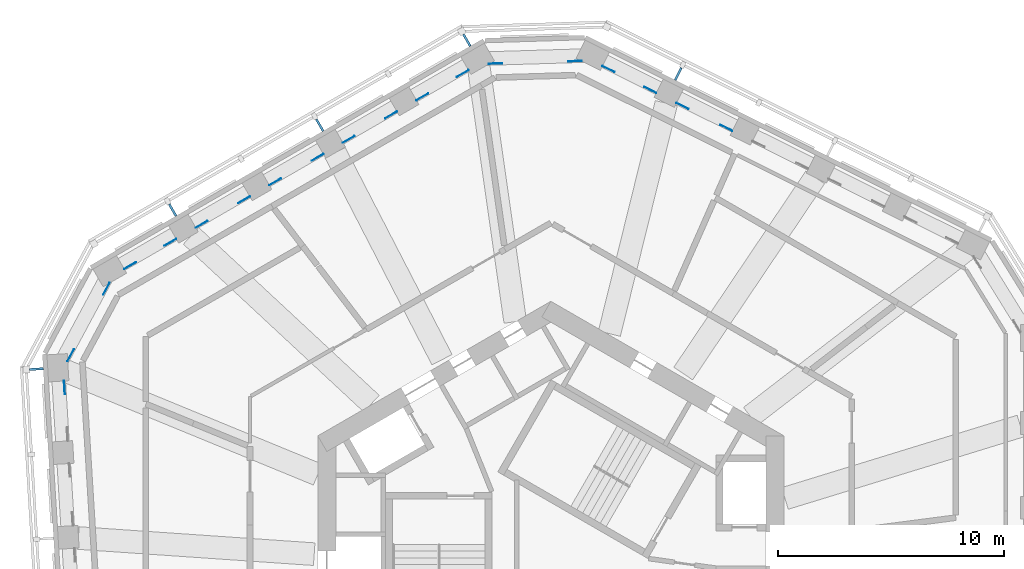
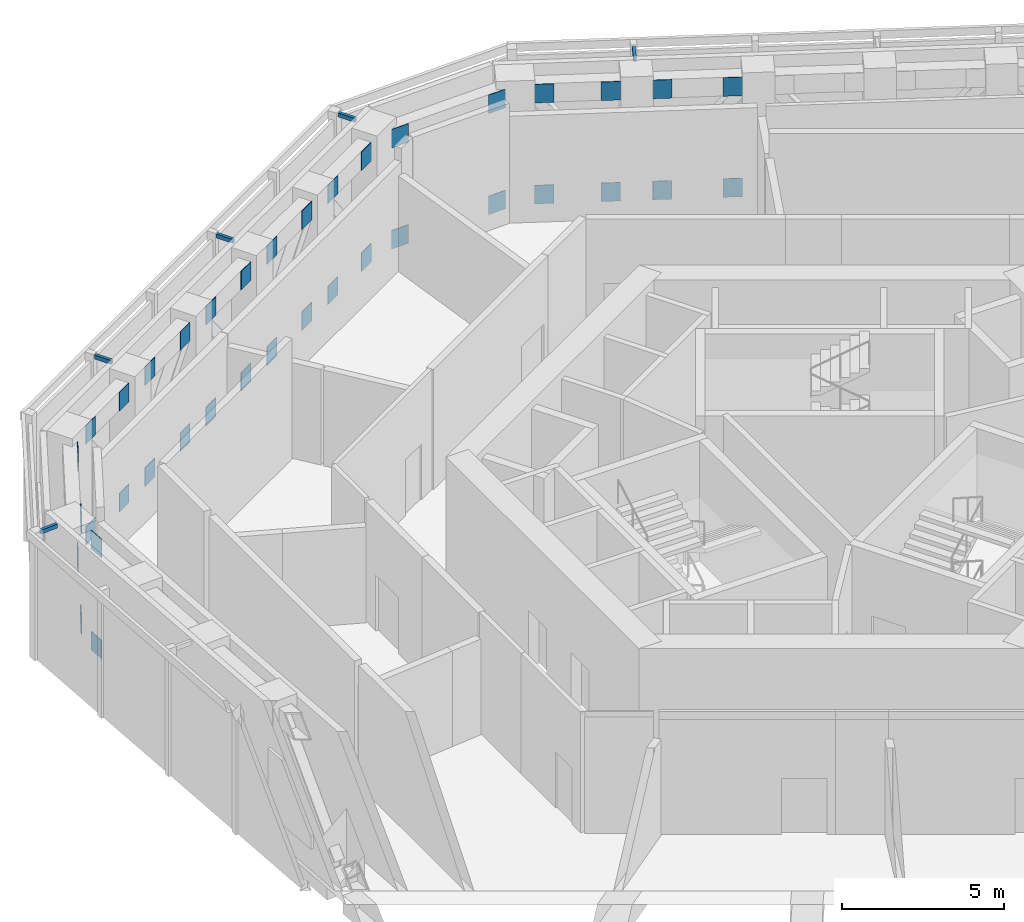
# One storey, part 13 of 15: 43 discrete accessories.
"""IFC4 building model written with IfcOpenShell, lengths in metres."""

import ifcopenshell
import ifcopenshell.guid

model = None  # the IFC model being written
_history = None  # IfcOwnerHistory: only IFC2X3 demands one
_inside = {}  # id of a spatial element -> (the spatial element, [elements in it])
_under = {}  # id of a project, library or spatial element -> (it, [spatial elements below it])
_declared = {}  # id of a project -> (the project, [libraries it declares])
_typed = {}  # id of a type object -> (the type object, [elements of that type])
_made_of = {}  # id of a material, layer set ... -> (it, [elements and type objects made of it])


def new_model(schema):
    """Start an empty IFC model of exactly this schema.

    Asked for "IFC4X3", IfcOpenShell would pick the latest addendum, in which some entities
    have other attributes; the version numbers below select the first issue.
    IFC2X3 requires an IfcOwnerHistory on every rooted entity: one is made here for all.
    """
    global model, _history
    if schema == "IFC4X3":
        model = ifcopenshell.file(schema_version=(4, 3, 0, 0))
    else:
        model = ifcopenshell.file(schema=schema)
    _inside.clear()
    _under.clear()
    _declared.clear()
    _typed.clear()
    _made_of.clear()
    _history = None
    if model.schema == "IFC2X3":
        org = make("IfcOrganization", Name="unknown")
        user = make(
            "IfcPersonAndOrganization",
            ThePerson=make("IfcPerson", FamilyName="unknown"),
            TheOrganization=org,
        )
        app = make(
            "IfcApplication",
            ApplicationDeveloper=org,
            Version="unknown",
            ApplicationFullName="unknown",
            ApplicationIdentifier="unknown",
        )
        _history = make(
            "IfcOwnerHistory",
            OwningUser=user,
            OwningApplication=app,
            ChangeAction="ADDED",
            CreationDate=0,
        )
    return model


def make(cls, **values):
    """One entity of the class cls with the attributes given. An attribute that is None is left unset."""
    return model.create_entity(
        cls, **{name: value for name, value in values.items() if value is not None}
    )


def rooted(cls, **values):
    """An entity with a GlobalId (a new one), such as an element, a storey or a relation."""
    return make(cls, GlobalId=ifcopenshell.guid.new(), OwnerHistory=_history, **values)


def si_unit(unit_type, name, prefix=None):
    """IfcSIUnit, for example si_unit("LENGTHUNIT", "METRE", prefix="MILLI")."""
    return make("IfcSIUnit", UnitType=unit_type, Prefix=prefix, Name=name)


def assignment(units):
    """IfcUnitAssignment: the units of a project."""
    return None if units is None else make("IfcUnitAssignment", Units=units)


def point(xyz):
    """IfcCartesianPoint."""
    return None if xyz is None else make("IfcCartesianPoint", Coordinates=xyz)


def direction(xyz):
    """IfcDirection."""
    return None if xyz is None else make("IfcDirection", DirectionRatios=xyz)


def frame(location, z_axis=None, x_axis=None):
    """IfcAxis2Placement3D, a coordinate frame: its origin and axes. An axis left out is left unset."""
    return make(
        "IfcAxis2Placement3D",
        Location=point(location),
        Axis=direction(z_axis),
        RefDirection=direction(x_axis),
    )


def frame_2d(location, x_axis=None):
    """IfcAxis2Placement2D, a coordinate frame in the plane: its origin and x axis."""
    return make(
        "IfcAxis2Placement2D", Location=point(location), RefDirection=direction(x_axis)
    )


def origin():
    """The frame at (0, 0, 0) with its axes left unset."""
    return frame((0.0, 0.0, 0.0))


def origin_2d():
    """The frame at (0, 0) in the plane with its x axis left unset."""
    return frame_2d((0.0, 0.0))


def place(relative_to, where):
    """IfcLocalPlacement: puts the frame where relative to a parent placement (None: the world)."""
    return make(
        "IfcLocalPlacement", PlacementRelTo=relative_to, RelativePlacement=where
    )


def context(
    kind, dimensions, precision=None, world=None, true_north=None, identifier=None
):
    """IfcGeometricRepresentationContext, for example the 3D "Model" context."""
    return make(
        "IfcGeometricRepresentationContext",
        ContextIdentifier=identifier,
        ContextType=kind,
        CoordinateSpaceDimension=dimensions,
        Precision=precision,
        WorldCoordinateSystem=world,
        TrueNorth=true_north,
    )


def subcontext(parent, identifier, kind, view, scale=None):
    """IfcGeometricRepresentationSubContext, for example "Body" below "Model"."""
    return make(
        "IfcGeometricRepresentationSubContext",
        ContextIdentifier=identifier,
        ContextType=kind,
        ParentContext=parent,
        TargetScale=scale,
        TargetView=view,
    )


def project(units=None, contexts=None):
    """IfcProject with its units and contexts."""
    return rooted(
        "IfcProject",
        Name="project",
        RepresentationContexts=contexts,
        UnitsInContext=assignment(units),
    )


def spatial(cls, under=None, at=None, **own):
    """A site, building, storey or space (cls), placed at a placement, below another one or the project."""
    s = rooted(cls, ObjectPlacement=at, **own)
    if under is not None:
        _under.setdefault(under.id(), (under, []))[1].append(s)
    return s


def profile(cls, at=None, kind="AREA", **sizes):
    """A parametric profile (cls). Its sizes go by their IFC names, for example OverallWidth=200.0."""
    return make(cls, ProfileType=kind, Position=at, **sizes)


def rectangle(**sizes):
    """IfcRectangleProfileDef."""
    return profile("IfcRectangleProfileDef", **sizes)


def extrude(swept, where, along, depth):
    """IfcExtrudedAreaSolid: the profile swept, set in the frame where, extruded along a direction by depth."""
    return make(
        "IfcExtrudedAreaSolid",
        SweptArea=swept,
        Position=where,
        ExtrudedDirection=direction(along),
        Depth=depth,
    )


def shape(context_of_items, identifier, shape_type, items):
    """IfcShapeRepresentation: the items that make up one representation, for example the "Body"."""
    return make(
        "IfcShapeRepresentation",
        ContextOfItems=context_of_items,
        RepresentationIdentifier=identifier,
        RepresentationType=shape_type,
        Items=items,
    )


def material(Name=None, Category=None):
    """IfcMaterial."""
    return make("IfcMaterial", Name=Name, Category=Category)


def layer(
    of_material, thickness, ventilated=None, Name=None, Category=None, Priority=None
):
    """IfcMaterialLayer: one layer of a wall or slab, of a material (None: an air gap)."""
    return make(
        "IfcMaterialLayer",
        Material=of_material,
        LayerThickness=thickness,
        IsVentilated=ventilated,
        Name=Name,
        Category=Category,
        Priority=Priority,
    )


def layer_set(layers, Name=None):
    """IfcMaterialLayerSet."""
    return make("IfcMaterialLayerSet", MaterialLayers=layers, LayerSetName=Name)


def made_of(thing, what):
    """Note that an element or type object is made of a material, layer set ...; save() writes the relation."""
    if what is not None:
        _made_of.setdefault(what.id(), (what, []))[1].append(thing)
    return thing


def type_object(cls, material=None, **own):
    """A type object (cls), such as IfcWallType, which elements share."""
    return made_of(rooted(cls, **own), material)


def element(
    cls,
    number,
    at=None,
    inside=None,
    cuts=None,
    type_object=None,
    material=None,
    context=None,
    identifier="Body",
    shape_type=None,
    held_by="IfcProductDefinitionShape",
    body=None,
    shapes=None,
    **own,
):
    """One element of the class cls, such as IfcWall. Its Tag is "e" and its number.

    at: its placement. inside: the storey or other place that contains it. cuts: it is an
    opening in that element (IfcRelVoidsElement). A single representation is given by context,
    identifier, shape_type and body (its items); several are given by shapes. held_by: the class
    of the entity that holds the representations. save() writes the other relations.
    """
    e = rooted(cls, Tag="e%d" % number, ObjectPlacement=at, **own)
    if body is not None:
        shapes = [shape(context, identifier, shape_type, body)]
    if shapes is not None:
        e.Representation = make(held_by, Representations=shapes)
    if inside is not None:
        _inside.setdefault(inside.id(), (inside, []))[1].append(e)
    if cuts is not None:
        rooted(
            "IfcRelVoidsElement", RelatingBuildingElement=cuts, RelatedOpeningElement=e
        )
    if type_object is not None:
        _typed.setdefault(type_object.id(), (type_object, []))[1].append(e)
    return made_of(e, material)


def aggregate(whole, parts):
    """IfcRelAggregates: a whole, such as a stair, and the parts it consists of."""
    return rooted("IfcRelAggregates", RelatingObject=whole, RelatedObjects=parts)


def save(model, path):
    """Write the relations noted so far, then the file.

    IfcRelAggregates (storeys below a building ...), IfcRelContainedInSpatialStructure (elements
    in a storey), IfcRelDefinesByType, IfcRelAssociatesMaterial and IfcRelDeclares: one each for
    every whole, place, type object, material and project.
    """
    for whole, parts in _under.values():
        aggregate(whole, parts)
    for where, things in _inside.values():
        rooted(
            "IfcRelContainedInSpatialStructure",
            RelatedElements=things,
            RelatingStructure=where,
        )
    for kind, things in _typed.values():
        rooted("IfcRelDefinesByType", RelatedObjects=things, RelatingType=kind)
    for what, things in _made_of.values():
        rooted("IfcRelAssociatesMaterial", RelatedObjects=things, RelatingMaterial=what)
    for by, libraries in _declared.values():
        rooted("IfcRelDeclares", RelatingContext=by, RelatedDefinitions=libraries)
    model.write(path)


model = new_model("IFC4")

# Units and contexts
model_context = context("Model", 3, precision=1e-05, world=origin(), true_north=direction((0.0, 1.0)))
body_context = subcontext(model_context, "Body", "Model", "MODEL_VIEW")
ifc_project = project(units=[si_unit("LENGTHUNIT", "METRE"), si_unit("AREAUNIT", "SQUARE_METRE"), si_unit("VOLUMEUNIT", "CUBIC_METRE"), si_unit("PLANEANGLEUNIT", "RADIAN"), si_unit("MASSUNIT", "GRAM", prefix="KILO")], contexts=[model_context])

# Site, building, storey
site_placement = place(None, origin())
site = spatial("IfcSite", under=ifc_project, at=site_placement, CompositionType="ELEMENT")
building_placement = place(site_placement, origin())
building = spatial("IfcBuilding", under=site, at=building_placement, Name="Vanh Sen Convention Tower", CompositionType="ELEMENT")
storey_placement = place(building_placement, frame((0.0, 0.0, 205.800048828125)))
storey = spatial("IfcBuildingStorey", under=building, at=storey_placement, Name="L51", CompositionType="ELEMENT", Elevation=205.800048828125)

# Discrete accessories
ifc_material_1 = material(Name="Steel S355", Category="steel")
ifc_layer = layer(ifc_material_1, 0.02001953125)
ifc_layer_set = layer_set([ifc_layer], Name="Steel S355")
discrete_accessory_type_1 = type_object("IfcDiscreteAccessoryType", Name="Belt truss gusset plate 600 x 700 x 20", PredefinedType="USERDEFINED", material=ifc_layer_set)
for number, where, z_axis, x_axis, name in (
    (1, (7.75439453125, 19.56005859375, 0.0), (0.0, 0.0, 1.0), (-0.894932804072, 0.446200937017, 0.0), "GUSSET PLATE belt truss chord bottom 10 L51 start"),
    (2, (5.81787109375, 20.525634765625, 0.0), (0.0, 0.0, 1.0), (0.894932804072, -0.446200937017, 0.0), "GUSSET PLATE belt truss chord bottom 10 L51 end"),
    (3, (7.75439453125, 19.56005859375, 3.7998046875), (0.0, 0.0, 1.0), (-0.894932804072, 0.446200937017, 0.0), "GUSSET PLATE belt truss chord top 10 L51 start"),
    (4, (5.81787109375, 20.525634765625, 3.7998046875), (0.0, 0.0, 1.0), (0.894932804072, -0.446200937017, 0.0), "GUSSET PLATE belt truss chord top 10 L51 end"),
    (5, (4.394775390625, 21.235107421875, 0.0), (0.0, 0.0, 1.0), (-0.894943706551, 0.446179069551, 0.0), "GUSSET PLATE belt truss chord bottom 11 L51 start"),
    (6, (2.547607421875, 22.156005859375, 0.0), (0.0, 0.0, 1.0), (0.894943706551, -0.446179069551, 0.0), "GUSSET PLATE belt truss chord bottom 11 L51 end"),
    (7, (4.394775390625, 21.235107421875, 3.7998046875), (0.0, 0.0, 1.0), (-0.894943706551, 0.446179069551, 0.0), "GUSSET PLATE belt truss chord top 11 L51 start"),
    (8, (2.547607421875, 22.156005859375, 3.7998046875), (0.0, 0.0, 1.0), (0.894943706551, -0.446179069551, 0.0), "GUSSET PLATE belt truss chord top 11 L51 end"),
    (9, (1.0693359375, 22.506591796875, 0.0), (0.0, 0.0, 1.0), (-0.999533537535, -0.030540257725, 0.0), "GUSSET PLATE belt truss chord bottom 12 L51 start"),
    (10, (-2.44140625, 22.3994140625, 0.0), (0.0, 0.0, 1.0), (0.999533537535, 0.030540257725, 0.0), "GUSSET PLATE belt truss chord bottom 12 L51 end"),
    (11, (1.0693359375, 22.506591796875, 3.7998046875), (0.0, 0.0, 1.0), (-0.999533537535, -0.030540257725, 0.0), "GUSSET PLATE belt truss chord top 12 L51 start"),
    (12, (-2.44140625, 22.3994140625, 3.7998046875), (0.0, 0.0, 1.0), (0.999533537535, 0.030540257725, 0.0), "GUSSET PLATE belt truss chord top 12 L51 end"),
    (13, (-3.8955078125, 21.959228515625, 0.0), (0.0, 0.0, 1.0), (-0.866035002936, -0.499983373414, 0.0), "GUSSET PLATE belt truss chord bottom 13 L51 start"),
    (14, (-5.68310546875, 20.92724609375, 0.0), (0.0, 0.0, 1.0), (0.866035002936, 0.499983373414, 0.0), "GUSSET PLATE belt truss chord bottom 13 L51 end"),
    (15, (-3.8955078125, 21.959228515625, 3.7998046875), (0.0, 0.0, 1.0), (-0.866035002936, -0.499983373414, 0.0), "GUSSET PLATE belt truss chord top 13 L51 start"),
    (16, (-5.68310546875, 20.92724609375, 3.7998046875), (0.0, 0.0, 1.0), (0.866035002936, 0.499983373414, 0.0), "GUSSET PLATE belt truss chord top 13 L51 end"),
    (17, (-7.06005859375, 20.132080078125, 0.0), (0.0, 0.0, 1.0), (-0.866016677006, -0.500015114919, 0.0), "GUSSET PLATE belt truss chord bottom 14 L51 start"),
    (18, (-8.93408203125, 19.050048828125, 0.0), (0.0, 0.0, 1.0), (0.866016677006, 0.500015114919, 0.0), "GUSSET PLATE belt truss chord bottom 14 L51 end"),
    (19, (-7.06005859375, 20.132080078125, 3.7998046875), (0.0, 0.0, 1.0), (-0.866016677006, -0.500015114919, 0.0), "GUSSET PLATE belt truss chord top 14 L51 start"),
    (20, (-8.93408203125, 19.050048828125, 3.7998046875), (0.0, 0.0, 1.0), (0.866016677006, 0.500015114919, 0.0), "GUSSET PLATE belt truss chord top 14 L51 end"),
    (21, (-10.311279296875, 18.255126953125, 0.0), (0.0, 0.0, 1.0), (-0.866035002936, -0.499983373414, 0.0), "GUSSET PLATE belt truss chord bottom 15 L51 start"),
    (22, (-12.185302734375, 17.173095703125, 0.0), (0.0, 0.0, 1.0), (0.866035002936, 0.499983373414, 0.0), "GUSSET PLATE belt truss chord bottom 15 L51 end"),
    (23, (-10.311279296875, 18.255126953125, 3.7998046875), (0.0, 0.0, 1.0), (-0.866035002936, -0.499983373414, 0.0), "GUSSET PLATE belt truss chord top 15 L51 start"),
    (24, (-12.185302734375, 17.173095703125, 3.7998046875), (0.0, 0.0, 1.0), (0.866035002936, 0.499983373414, 0.0), "GUSSET PLATE belt truss chord top 15 L51 end"),
    (25, (-13.5625, 16.378173828125, 0.0), (0.0, 0.0, 1.0), (-0.866016677006, -0.500015114919, 0.0), "GUSSET PLATE belt truss chord bottom 16 L51 start"),
    (26, (-15.4365234375, 15.2958984375, 0.0), (0.0, 0.0, 1.0), (0.866016677006, 0.500015114919, 0.0), "GUSSET PLATE belt truss chord bottom 16 L51 end"),
    (27, (-13.5625, 16.378173828125, 3.7998046875), (0.0, 0.0, 1.0), (-0.866016677006, -0.500015114919, 0.0), "GUSSET PLATE belt truss chord top 16 L51 start"),
    (28, (-15.4365234375, 15.2958984375, 3.7998046875), (0.0, 0.0, 1.0), (0.866016677006, 0.500015114919, 0.0), "GUSSET PLATE belt truss chord top 16 L51 end"),
    (29, (-16.8134765625, 14.5009765625, 0.0), (0.0, 0.0, 1.0), (-0.866035002936, -0.499983373414, 0.0), "GUSSET PLATE belt truss chord bottom 17 L51 start"),
    (30, (-18.60107421875, 13.468994140625, 0.0), (0.0, 0.0, 1.0), (0.866035002936, 0.499983373414, 0.0), "GUSSET PLATE belt truss chord bottom 17 L51 end"),
    (31, (-16.8134765625, 14.5009765625, 3.7998046875), (0.0, 0.0, 1.0), (-0.866035002936, -0.499983373414, 0.0), "GUSSET PLATE belt truss chord top 17 L51 start"),
    (32, (-18.60107421875, 13.468994140625, 3.7998046875), (0.0, 0.0, 1.0), (0.866035002936, 0.499983373414, 0.0), "GUSSET PLATE belt truss chord top 17 L51 end"),
    (33, (-19.643798828125, 12.449462890625, 0.0), (0.0, 0.0, 1.0), (-0.47331812974, -0.880891564303, 0.0), "GUSSET PLATE belt truss chord bottom 18 L51 start"),
    (34, (-21.223388671875, 9.509521484375, 0.0), (0.0, 0.0, 1.0), (0.47331812974, 0.880891564303, 0.0), "GUSSET PLATE belt truss chord bottom 18 L51 end"),
    (35, (-19.643798828125, 12.449462890625, 3.7998046875), (0.0, 0.0, 1.0), (-0.47331812974, -0.880891564303, 0.0), "GUSSET PLATE belt truss chord top 18 L51 start"),
    (36, (-21.223388671875, 9.509521484375, 3.7998046875), (0.0, 0.0, 1.0), (0.47331812974, 0.880891564303, 0.0), "GUSSET PLATE belt truss chord top 18 L51 end"),
    (37, (-21.498291015625, 8.0771484375, 0.0), (0.0, 0.0, 1.0), (0.061053765756, -0.998134478759, 0.0), "GUSSET PLATE belt truss chord bottom 19 L51 start"),
    (38, (-21.498291015625, 8.0771484375, 3.7998046875), (0.0, 0.0, 1.0), (0.061053765756, -0.998134478759, 0.0), "GUSSET PLATE belt truss chord top 19 L51 start"),
):
    element("IfcDiscreteAccessory", number, at=place(storey_placement, frame(where, z_axis=z_axis, x_axis=x_axis)), inside=storey, type_object=discrete_accessory_type_1, Name=name, ObjectType="GUSSET PLATE", PredefinedType="USERDEFINED", context=body_context, shape_type="SweptSolid", body=[
        extrude(rectangle(XDim=0.60009765625, YDim=0.02001953125, at=origin_2d()), origin(), (0.0, 0.0, 1.0), 0.699951171875),
    ])
ifc_material_2 = material(Name="Steel S355", Category="steel")
discrete_accessory_type_2 = type_object("IfcDiscreteAccessoryType", Name="Fin bracket 100 x 150", PredefinedType="BRACKET", material=ifc_material_2)
for number, where, z_axis, x_axis, name in (
    (39, (5.635009765625, 21.94091796875, 4.60009765625), (0.0, 0.0, 1.0), (0.44619781311, 0.894934361602, 0.0), "Fin bracket NE-5 L51"),
    (40, (-3.712890625, 23.432861328125, 4.60009765625), (0.0, 0.0, 1.0), (-0.5, 0.866025403784, 0.0), "Fin bracket NW-1 L51"),
    (41, (-10.215087890625, 19.6787109375, 4.60009765625), (0.0, 0.0, 1.0), (-0.5, 0.866025403784, 0.0), "Fin bracket NW-3 L51"),
    (42, (-16.717529296875, 15.9248046875, 4.60009765625), (0.0, 0.0, 1.0), (-0.5, 0.866025403784, 0.0), "Fin bracket NW-5 L51"),
    (43, (-22.735595703125, 8.898193359375, 4.60009765625), (0.0, 0.0, 1.0), (-0.998134798422, -0.061048539535, 0.0), "Fin bracket W-1 L51"),
):
    element("IfcDiscreteAccessory", number, at=place(storey_placement, frame(where, z_axis=z_axis, x_axis=x_axis)), inside=storey, type_object=discrete_accessory_type_2, Name=name, PredefinedType="BRACKET", context=body_context, shape_type="SweptSolid", body=[
        extrude(rectangle(XDim=0.60009765625, YDim=0.10009765625, at=origin_2d()), origin(), (0.0, 0.0, 1.0), 0.14990234375),
    ])

save(model, "model.ifc")
